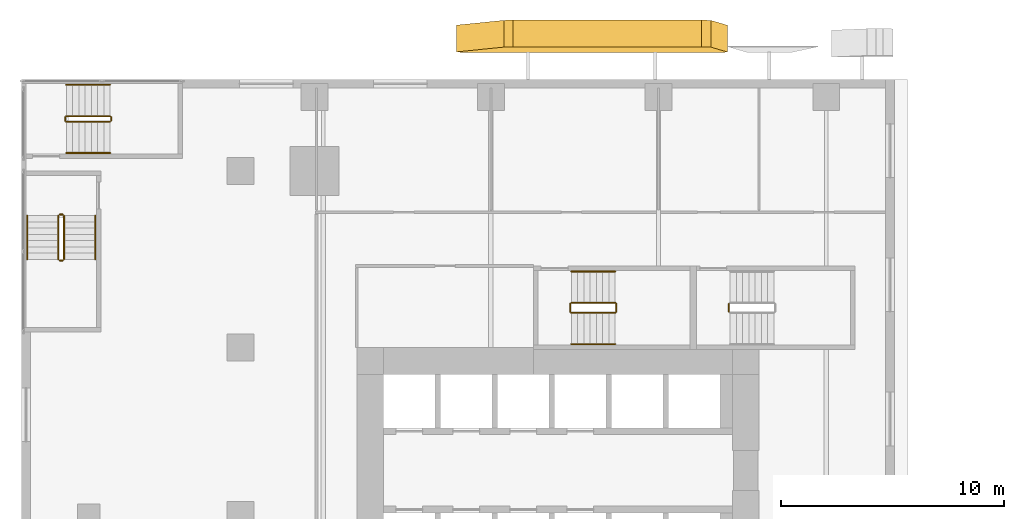
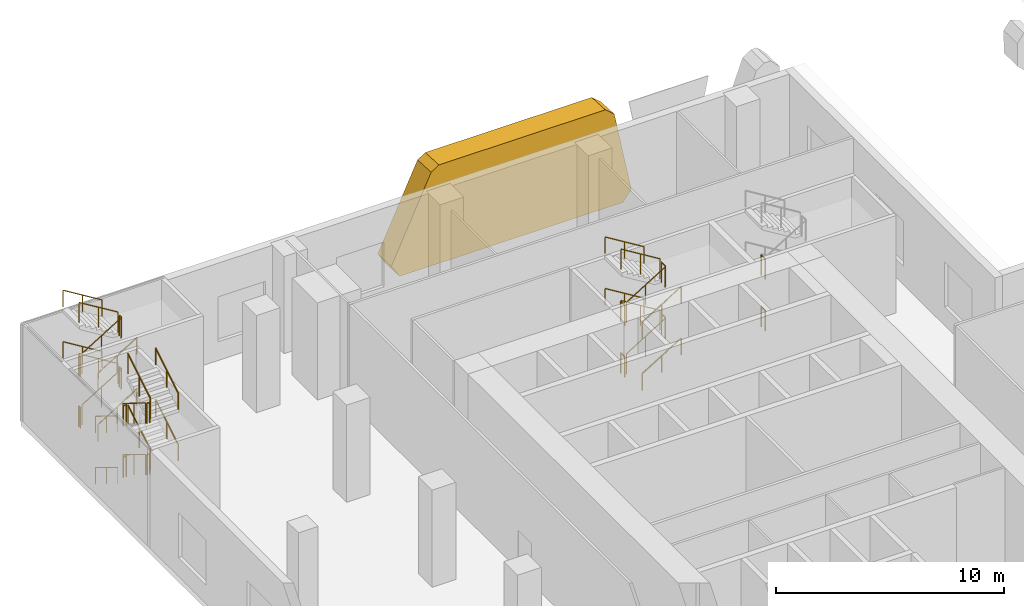
# One storey, part 19 of 23: 38 railings, 1 covering.
"""IFC4 building model written with IfcOpenShell, lengths in metres."""

from ifc_helpers import new_model, si_unit, direction, frame, origin, origin_2d, place, context, subcontext, project, spatial, polyline, circle, outline, extrude, source, transform, mapped, material, layer, layer_set, type_object, element, save


model = new_model("IFC4")

# Units and contexts
model_context = context("Model", 3, precision=1e-05, world=origin(), true_north=direction((0.0, 1.0)))
body_context = subcontext(model_context, "Body", "Model", "MODEL_VIEW")
ifc_project = project(units=[si_unit("LENGTHUNIT", "METRE"), si_unit("AREAUNIT", "SQUARE_METRE"), si_unit("VOLUMEUNIT", "CUBIC_METRE"), si_unit("PLANEANGLEUNIT", "RADIAN"), si_unit("MASSUNIT", "GRAM", prefix="KILO")], contexts=[model_context])

# Site, building, storey
site_placement = place(None, origin())
site = spatial("IfcSite", under=ifc_project, at=site_placement, CompositionType="ELEMENT")
building_placement = place(site_placement, origin())
building = spatial("IfcBuilding", under=site, at=building_placement, Name="Khomas Fold Tower", CompositionType="ELEMENT")
storey_placement = place(building_placement, frame((0.0, 0.0, 13.0)))
storey = spatial("IfcBuildingStorey", under=building, at=storey_placement, Name="L02", CompositionType="ELEMENT", Elevation=13.0)

# Covering
ifc_material_1 = material(Name="Natural stone cladding", Category="masonry")
ifc_layer = layer(ifc_material_1, 1.199951171875)
ifc_layer_set = layer_set([ifc_layer], Name="Natural stone cladding")
covering_type = type_object("IfcCoveringType", Name="SK-Karibib marble stone panel", PredefinedType="CLADDING", material=ifc_layer_set)
covering_placement = place(storey_placement, frame((10.45166015625, 55.22265625, 0.65625), z_axis=(-1.0595846e-05, -0.998629595527, 0.052334795548), x_axis=(0.457994493483, 0.046518433518, 0.88773705526)))
element("IfcCovering", 1, at=covering_placement, inside=storey, type_object=covering_type, Name="OUTER SKIN leaf L02 NS05-1", PredefinedType="CLADDING", context=body_context, shape_type="SweptSolid", body=[
    extrude(outline(polyline([(0.0, 0.0), (4.674976033808788, -2.220446049250313e-16), (5.0750188853755756, -0.24375239939921745), (8.931296739680109, -7.728684295117736), (8.803248642958415, -8.293122924245326), (5.444999880468128, -10.84832291123054), (4.771762679237091, -10.696710849888804), (-0.4010257137064348, -0.6564673054753813), (0.0, 0.0)])), origin(), (0.0, 0.0, -1.0), 1.199951171875),
])

# Railings
ifc_material_2 = material(Name="Steel balustrade", Category="steel")
railing_type_1 = type_object("IfcRailingType", Name="Stair guard", PredefinedType="GUARDRAIL", material=ifc_material_2)
shared_shape_1 = source(origin(), body_context, "Body", "SweptSolid", [
    extrude(circle(Radius=0.02392578125, at=origin_2d()), frame((0.0, 0.0, 1.076171875), z_axis=(0.0, 1.0, 0.0), x_axis=(-1.0, 0.0, 0.0)), (0.0, 0.0, 1.0), 0.349853515625),
    extrude(circle(Radius=0.02099609375, at=origin_2d()), origin(), (0.0, 0.0, 1.0), 1.052001953125),
    extrude(circle(Radius=0.02099609375, at=origin_2d()), frame((0.0, 0.349853515625, 0.0)), (0.0, 0.0, 1.0), 1.052001953125),
])
for number, where, name in (
    (2, (17.610107421875, 43.60009765625, 1.375), "L02 ST1 stair guard 2"),
    (3, (15.550048828125, 43.60009765625, 2.75), "L02 ST1 stair guard 4"),
    (4, (17.610107421875, 43.60009765625, 4.125), "L02 ST1 stair guard 6"),
    (5, (15.550048828125, 43.60009765625, 0.0), "L02 ST1 stair guard 8"),
    (6, (22.64990234375, 43.60009765625, 2.75), "L02 ST3 stair guard 4"),
    (7, (22.64990234375, 43.60009765625, 0.0), "L02 ST3 stair guard 8"),
):
    element("IfcRailing", number, at=place(storey_placement, frame(where)), inside=storey, type_object=railing_type_1, Name=name, PredefinedType="GUARDRAIL", context=body_context, shape_type="MappedRepresentation", body=[
        mapped(shared_shape_1, transform((0.0, 0.0, 0.0))),
    ])
shared_shape_2 = source(origin(), body_context, "Body", "SweptSolid", [
    extrude(circle(Radius=0.02392578125, at=origin_2d()), frame((0.0, 0.0, 1.076171875), z_axis=(0.852240978134, 0.0, 0.523149419562), x_axis=(0.0, 1.0, 0.0)), (0.0, 0.0, 1.0), 2.2998046875),
    extrude(circle(Radius=0.02099609375, at=origin_2d()), origin(), (0.0, 0.0, 1.0), 1.052001953125),
    extrude(circle(Radius=0.02099609375, at=origin_2d()), frame((0.97998046875, 0.0, 0.6015625)), (0.0, 0.0, 1.0), 1.052001953125),
    extrude(circle(Radius=0.02099609375, at=origin_2d()), frame((1.9599609375, 0.0, 1.203125)), (0.0, 0.0, 1.0), 1.052001953125),
])
for number, where, name in (
    (8, (15.60009765625, 43.550048828125, 0.171875), "L02 ST1 stair guard 1"),
    (9, (15.60009765625, 43.550048828125, 2.921875), "L02 ST1 stair guard 5"),
    (10, (-7.0, 52.10009765625, 0.171875), "L02 PS7 stair guard 1"),
    (11, (-7.0, 52.10009765625, 2.921875), "L02 PS7 stair guard 5"),
):
    element("IfcRailing", number, at=place(storey_placement, frame(where)), inside=storey, type_object=railing_type_1, Name=name, PredefinedType="GUARDRAIL", context=body_context, shape_type="MappedRepresentation", body=[
        mapped(shared_shape_2, transform((0.0, 0.0, 0.0))),
    ])
shared_shape_3 = source(origin(), body_context, "Body", "SweptSolid", [
    extrude(circle(Radius=0.02392578125, at=origin_2d()), frame((0.0, 0.0, 1.076171875), z_axis=(-0.852240978134, 0.0, 0.523149419562), x_axis=(0.0, -1.0, 0.0)), (0.0, 0.0, 1.0), 2.2998046875),
    extrude(circle(Radius=0.02099609375, at=origin_2d()), origin(), (0.0, 0.0, 1.0), 1.052001953125),
    extrude(circle(Radius=0.02099609375, at=origin_2d()), frame((-0.97998046875, 0.0, 0.6015625)), (0.0, 0.0, 1.0), 1.052001953125),
    extrude(circle(Radius=0.02099609375, at=origin_2d()), frame((-1.9599609375, 0.0, 1.203125)), (0.0, 0.0, 1.0), 1.052001953125),
])
for number, where, name in (
    (12, (17.56005859375, 44.0, 1.546875), "L02 ST1 stair guard 3"),
    (13, (17.56005859375, 44.0, 4.296875), "L02 ST1 stair guard 7"),
    (14, (-5.0400390625, 52.35009765625, 1.546875), "L02 PS7 stair guard 3"),
    (15, (-5.0400390625, 52.35009765625, 4.296875), "L02 PS7 stair guard 7"),
):
    element("IfcRailing", number, at=place(storey_placement, frame(where)), inside=storey, type_object=railing_type_1, Name=name, PredefinedType="GUARDRAIL", context=body_context, shape_type="MappedRepresentation", body=[
        mapped(shared_shape_3, transform((0.0, 0.0, 0.0))),
    ])
ifc_material_3 = material(Name="Steel handrail", Category="steel")
railing_type_2 = type_object("IfcRailingType", Name="Stair handrail", PredefinedType="HANDRAIL", material=ifc_material_3)
shared_shape_4 = source(origin(), body_context, "Body", "SweptSolid", [
    extrude(circle(Radius=0.02392578125, at=origin_2d()), frame((0.0, 0.0, 0.8759765625), z_axis=(0.852240978134, 0.0, 0.523149419562), x_axis=(0.0, 1.0, 0.0)), (0.0, 0.0, 1.0), 2.2998046875),
    extrude(circle(Radius=0.02099609375, at=origin_2d()), origin(), (0.0, 0.0, 1.0), 0.851806640625),
    extrude(circle(Radius=0.02099609375, at=origin_2d()), frame((0.97998046875, 0.0, 0.6015625)), (0.0, 0.0, 1.0), 0.851806640625),
    extrude(circle(Radius=0.02099609375, at=origin_2d()), frame((1.9599609375, 0.0, 1.203125)), (0.0, 0.0, 1.0), 0.851806640625),
])
for number, where, name in (
    (16, (15.60009765625, 42.14990234375, 0.171875), "L02 ST1 stair handrail 1"),
    (17, (15.60009765625, 42.14990234375, 2.921875), "L02 ST1 stair handrail 3"),
    (18, (-7.0, 50.699951171875, 0.171875), "L02 PS7 stair handrail 1"),
    (19, (-7.0, 50.699951171875, 2.921875), "L02 PS7 stair handrail 3"),
):
    element("IfcRailing", number, at=place(storey_placement, frame(where)), inside=storey, type_object=railing_type_2, Name=name, PredefinedType="HANDRAIL", context=body_context, shape_type="MappedRepresentation", body=[
        mapped(shared_shape_4, transform((0.0, 0.0, 0.0))),
    ])
shared_shape_5 = source(origin(), body_context, "Body", "SweptSolid", [
    extrude(circle(Radius=0.02392578125, at=origin_2d()), frame((0.0, 0.0, 0.8759765625), z_axis=(-0.852240978134, 0.0, 0.523149419562), x_axis=(0.0, -1.0, 0.0)), (0.0, 0.0, 1.0), 2.2998046875),
    extrude(circle(Radius=0.02099609375, at=origin_2d()), origin(), (0.0, 0.0, 1.0), 0.851806640625),
    extrude(circle(Radius=0.02099609375, at=origin_2d()), frame((-0.97998046875, 0.0, 0.6015625)), (0.0, 0.0, 1.0), 0.851806640625),
    extrude(circle(Radius=0.02099609375, at=origin_2d()), frame((-1.9599609375, 0.0, 1.203125)), (0.0, 0.0, 1.0), 0.851806640625),
])
for number, where, name in (
    (20, (17.56005859375, 45.39990234375, 1.546875), "L02 ST1 stair handrail 2"),
    (21, (17.56005859375, 45.39990234375, 4.296875), "L02 ST1 stair handrail 4"),
    (22, (-5.0400390625, 53.75, 1.546875), "L02 PS7 stair handrail 2"),
    (23, (-5.0400390625, 53.75, 4.296875), "L02 PS7 stair handrail 4"),
):
    element("IfcRailing", number, at=place(storey_placement, frame(where)), inside=storey, type_object=railing_type_2, Name=name, PredefinedType="HANDRAIL", context=body_context, shape_type="MappedRepresentation", body=[
        mapped(shared_shape_5, transform((0.0, 0.0, 0.0))),
    ])
shared_shape_6 = source(origin(), body_context, "Body", "SweptSolid", [
    extrude(circle(Radius=0.02392578125, at=origin_2d()), frame((0.0, 0.0, 1.076171875), z_axis=(0.0, 1.0, 0.0), x_axis=(-1.0, 0.0, 0.0)), (0.0, 0.0, 1.0), 0.150146484375),
    extrude(circle(Radius=0.02099609375, at=origin_2d()), origin(), (0.0, 0.0, 1.0), 1.052001953125),
    extrude(circle(Radius=0.02099609375, at=origin_2d()), frame((0.0, 0.150146484375, 0.0)), (0.0, 0.0, 1.0), 1.052001953125),
])
for number, where, name in (
    (24, (-4.989990234375, 52.14990234375, 1.375), "L02 PS7 stair guard 2"),
    (25, (-7.050048828125, 52.14990234375, 2.75), "L02 PS7 stair guard 4"),
    (26, (-4.989990234375, 52.14990234375, 4.125), "L02 PS7 stair guard 6"),
    (27, (-7.050048828125, 52.14990234375, 0.0), "L02 PS7 stair guard 8"),
):
    element("IfcRailing", number, at=place(storey_placement, frame(where)), inside=storey, type_object=railing_type_1, Name=name, PredefinedType="GUARDRAIL", context=body_context, shape_type="MappedRepresentation", body=[
        mapped(shared_shape_6, transform((0.0, 0.0, 0.0))),
    ])
shared_shape_7 = source(origin(), body_context, "Body", "SweptSolid", [
    extrude(circle(Radius=0.02392578125, at=origin_2d()), frame((0.0, 0.0, 1.076171875), z_axis=(0.0, 0.852240978134, 0.523149419562), x_axis=(-1.0, 0.0, 0.0)), (0.0, 0.0, 1.0), 2.2998046875),
    extrude(circle(Radius=0.02099609375, at=origin_2d()), origin(), (0.0, 0.0, 1.0), 1.052001953125),
    extrude(circle(Radius=0.02099609375, at=origin_2d()), frame((0.0, 0.97998046875, 0.6015625)), (0.0, 0.0, 1.0), 1.052001953125),
    extrude(circle(Radius=0.02099609375, at=origin_2d()), frame((0.0, 1.9599609375, 1.203125)), (0.0, 0.0, 1.0), 1.052001953125),
])
for number, where, name in (
    (28, (-7.10009765625, 45.93994140625, 1.546875), "L02 PS8 stair guard 3"),
    (29, (-7.10009765625, 45.93994140625, 4.296875), "L02 PS8 stair guard 7"),
):
    element("IfcRailing", number, at=place(storey_placement, frame(where)), inside=storey, type_object=railing_type_1, Name=name, PredefinedType="GUARDRAIL", context=body_context, shape_type="MappedRepresentation", body=[
        mapped(shared_shape_7, transform((0.0, 0.0, 0.0))),
    ])
shared_shape_8 = source(origin(), body_context, "Body", "SweptSolid", [
    extrude(circle(Radius=0.02392578125, at=origin_2d()), frame((0.0, 0.0, 1.076171875), z_axis=(0.0, -0.852240978134, 0.523149419562), x_axis=(1.0, 0.0, 0.0)), (0.0, 0.0, 1.0), 2.2998046875),
    extrude(circle(Radius=0.02099609375, at=origin_2d()), origin(), (0.0, 0.0, 1.0), 1.052001953125),
    extrude(circle(Radius=0.02099609375, at=origin_2d()), frame((0.0, -0.97998046875, 0.6015625)), (0.0, 0.0, 1.0), 1.052001953125),
    extrude(circle(Radius=0.02099609375, at=origin_2d()), frame((0.0, -1.9599609375, 1.203125)), (0.0, 0.0, 1.0), 1.052001953125),
])
for number, where, name in (
    (30, (-7.35009765625, 47.89990234375, 0.171875), "L02 PS8 stair guard 1"),
    (31, (-7.35009765625, 47.89990234375, 2.921875), "L02 PS8 stair guard 5"),
):
    element("IfcRailing", number, at=place(storey_placement, frame(where)), inside=storey, type_object=railing_type_1, Name=name, PredefinedType="GUARDRAIL", context=body_context, shape_type="MappedRepresentation", body=[
        mapped(shared_shape_8, transform((0.0, 0.0, 0.0))),
    ])
shared_shape_9 = source(origin(), body_context, "Body", "SweptSolid", [
    extrude(circle(Radius=0.02392578125, at=origin_2d()), frame((0.0, 0.0, 0.8759765625), z_axis=(0.0, 0.852240978134, 0.523149419562), x_axis=(-1.0, 0.0, 0.0)), (0.0, 0.0, 1.0), 2.2998046875),
    extrude(circle(Radius=0.02099609375, at=origin_2d()), origin(), (0.0, 0.0, 1.0), 0.851806640625),
    extrude(circle(Radius=0.02099609375, at=origin_2d()), frame((0.0, 0.97998046875, 0.6015625)), (0.0, 0.0, 1.0), 0.851806640625),
    extrude(circle(Radius=0.02099609375, at=origin_2d()), frame((0.0, 1.9599609375, 1.203125)), (0.0, 0.0, 1.0), 0.851806640625),
])
for number, where, name in (
    (32, (-5.699951171875, 45.93994140625, 1.546875), "L02 PS8 stair handrail 2"),
    (33, (-5.699951171875, 45.93994140625, 4.296875), "L02 PS8 stair handrail 4"),
):
    element("IfcRailing", number, at=place(storey_placement, frame(where)), inside=storey, type_object=railing_type_2, Name=name, PredefinedType="HANDRAIL", context=body_context, shape_type="MappedRepresentation", body=[
        mapped(shared_shape_9, transform((0.0, 0.0, 0.0))),
    ])
shared_shape_10 = source(origin(), body_context, "Body", "SweptSolid", [
    extrude(circle(Radius=0.02392578125, at=origin_2d()), frame((0.0, 0.0, 0.8759765625), z_axis=(0.0, -0.852240978134, 0.523149419562), x_axis=(1.0, 0.0, 0.0)), (0.0, 0.0, 1.0), 2.2998046875),
    extrude(circle(Radius=0.02099609375, at=origin_2d()), origin(), (0.0, 0.0, 1.0), 0.851806640625),
    extrude(circle(Radius=0.02099609375, at=origin_2d()), frame((0.0, -0.97998046875, 0.6015625)), (0.0, 0.0, 1.0), 0.851806640625),
    extrude(circle(Radius=0.02099609375, at=origin_2d()), frame((0.0, -1.9599609375, 1.203125)), (0.0, 0.0, 1.0), 0.851806640625),
])
for number, where, name in (
    (34, (-8.75, 47.89990234375, 0.171875), "L02 PS8 stair handrail 1"),
    (35, (-8.75, 47.89990234375, 2.921875), "L02 PS8 stair handrail 3"),
):
    element("IfcRailing", number, at=place(storey_placement, frame(where)), inside=storey, type_object=railing_type_2, Name=name, PredefinedType="HANDRAIL", context=body_context, shape_type="MappedRepresentation", body=[
        mapped(shared_shape_10, transform((0.0, 0.0, 0.0))),
    ])
shared_shape_11 = source(origin(), body_context, "Body", "SweptSolid", [
    extrude(circle(Radius=0.02392578125, at=origin_2d()), frame((0.0, 0.0, 1.076171875), z_axis=(1.0, 0.0, 0.0), x_axis=(0.0, 1.0, 0.0)), (0.0, 0.0, 1.0), 0.150146484375),
    extrude(circle(Radius=0.02099609375, at=origin_2d()), origin(), (0.0, 0.0, 1.0), 1.052001953125),
    extrude(circle(Radius=0.02099609375, at=origin_2d()), frame((0.150146484375, 0.0, 0.0)), (0.0, 0.0, 1.0), 1.052001953125),
])
for number, where, name in (
    (36, (-7.300048828125, 45.889892578125, 1.375), "L02 PS8 stair guard 2"),
    (37, (-7.300048828125, 47.949951171875, 2.75), "L02 PS8 stair guard 4"),
    (38, (-7.300048828125, 45.889892578125, 4.125), "L02 PS8 stair guard 6"),
    (39, (-7.300048828125, 47.949951171875, 0.0), "L02 PS8 stair guard 8"),
):
    element("IfcRailing", number, at=place(storey_placement, frame(where)), inside=storey, type_object=railing_type_1, Name=name, PredefinedType="GUARDRAIL", context=body_context, shape_type="MappedRepresentation", body=[
        mapped(shared_shape_11, transform((0.0, 0.0, 0.0))),
    ])

save(model, "model.ifc")
